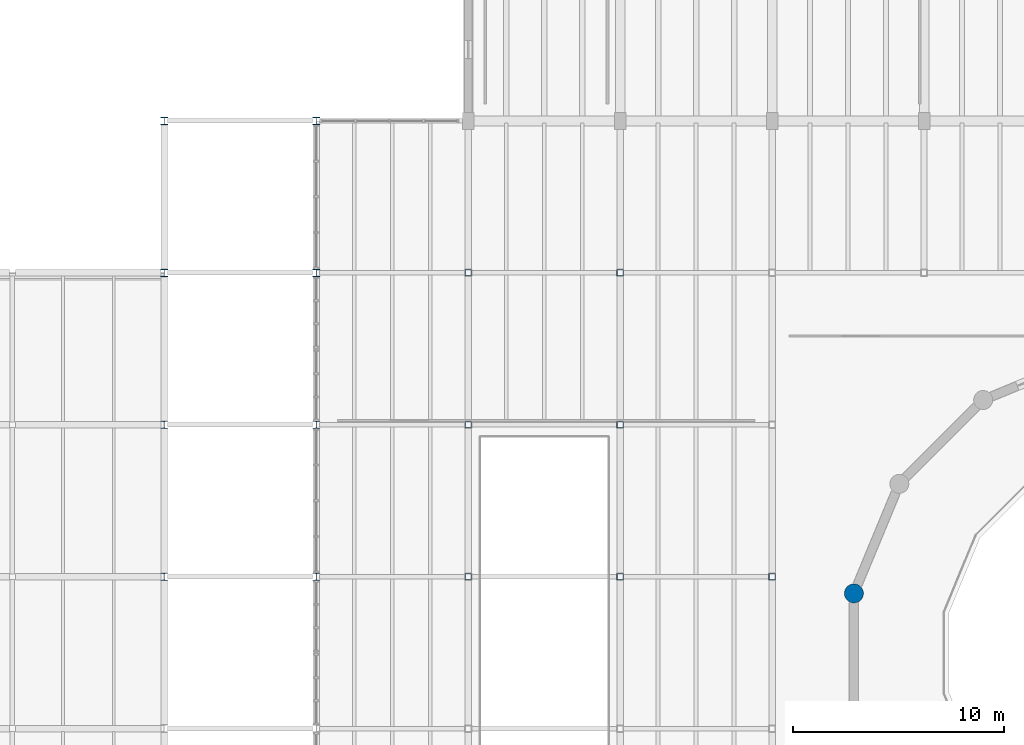
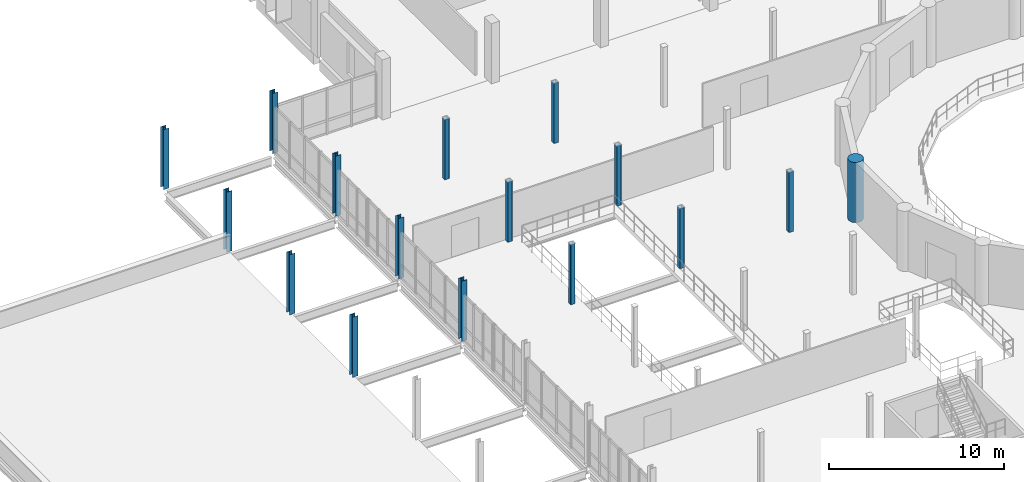
# One storey, part 9 of 72: 16 columns.
"""IFC4 building model written with IfcOpenShell, lengths in metres."""

from ifc_helpers import new_model, si_unit, direction, frame, origin, origin_2d, place, context, subcontext, project, spatial, hollow_rectangle, circle, i_section, extrude, material, material_profile, profile_set, type_object, element, save


model = new_model("IFC4")

# Units and contexts
model_context = context("Model", 3, precision=1e-05, world=origin(), true_north=direction((0.0, 1.0)))
body_context = subcontext(model_context, "Body", "Model", "MODEL_VIEW")
ifc_project = project(units=[si_unit("LENGTHUNIT", "METRE"), si_unit("AREAUNIT", "SQUARE_METRE"), si_unit("VOLUMEUNIT", "CUBIC_METRE"), si_unit("PLANEANGLEUNIT", "RADIAN"), si_unit("MASSUNIT", "GRAM", prefix="KILO")], contexts=[model_context])

# Site, building, storey
site_placement = place(None, origin())
site = spatial("IfcSite", under=ifc_project, at=site_placement, CompositionType="ELEMENT")
building_placement = place(site_placement, origin())
building = spatial("IfcBuilding", under=site, at=building_placement, Name="Qiaolan Assembly House", CompositionType="ELEMENT")
storey_placement = place(building_placement, frame((0.0, 0.0, 10.199951171875)))
storey = spatial("IfcBuildingStorey", under=building, at=storey_placement, Name="L02", CompositionType="ELEMENT", Elevation=10.199951171875)

# Columns
ifc_material_1 = material(Name="Concrete C50/60", Category="concrete")
ifc_material_profile_1 = material_profile(ifc_material_1, circle(Radius=0.449951171875, at=origin_2d()), Name="CIRC D900")
ifc_profile_set_1 = profile_set([ifc_material_profile_1], Name="Concrete C50/60")
column_type_1 = type_object("IfcColumnType", Name="COL-DRUM-D900", PredefinedType="COLUMN", material=ifc_profile_set_1)
column_placement = place(storey_placement, frame((54.276611328125, 64.00927734375, 0.0), z_axis=(0.0, 0.0, 1.0), x_axis=(1.0, 0.0, 0.0)))
element("IfcColumn", 1, at=column_placement, inside=storey, type_object=column_type_1, Name="DC-03 chamber drum pier 8 L02", PredefinedType="COLUMN", context=body_context, shape_type="SweptSolid", body=[
    extrude(circle(Radius=0.449951171875, at=origin_2d()), origin(), (0.0, 0.0, 1.0), 4.199951171875),
])
ifc_material_2 = material(Name="Steel Q355B", Category="steel")
ifc_material_profile_2 = material_profile(ifc_material_2, i_section(OverallWidth=0.35009765625, OverallDepth=0.35009765625, WebThickness=0.011962890625, FlangeThickness=0.01904296875, FilletRadius=0.02001953125, at=origin_2d()), Name="HW 350x350x12x19")
ifc_profile_set_2 = profile_set([ifc_material_profile_2], Name="Steel Q355B")
column_type_2 = type_object("IfcColumnType", Name="COL-STL-HW350", PredefinedType="COLUMN", material=ifc_profile_set_2)
for number, where, z_axis, x_axis, name in (
    (2, (21.60009765625, 64.800048828125, 0.0), (0.0, 0.0, 1.0), (1.0, 0.0, 0.0), "SC-02 hall column L02"),
    (3, (21.60009765625, 72.0, 0.0), (0.0, 0.0, 1.0), (1.0, 0.0, 0.0), "SC-02 hall column L02"),
    (4, (21.60009765625, 79.199951171875, 0.0), (0.0, 0.0, 1.0), (1.0, 0.0, 0.0), "SC-02 hall column L02"),
    (5, (21.60009765625, 86.39990234375, 0.0), (0.0, 0.0, 1.0), (1.0, 0.0, 0.0), "SC-02 hall column L02"),
    (6, (28.800048828125, 64.800048828125, 0.0), (0.0, 0.0, 1.0), (1.0, 0.0, 0.0), "SC-02 hall column L02"),
    (7, (28.800048828125, 72.0, 0.0), (0.0, 0.0, 1.0), (1.0, 0.0, 0.0), "SC-02 hall column L02"),
    (8, (28.800048828125, 79.199951171875, 0.0), (0.0, 0.0, 1.0), (1.0, 0.0, 0.0), "SC-02 hall column L02"),
    (9, (28.800048828125, 86.39990234375, 0.0), (0.0, 0.0, 1.0), (1.0, 0.0, 0.0), "SC-02 hall column L02"),
):
    element("IfcColumn", number, at=place(storey_placement, frame(where, z_axis=z_axis, x_axis=x_axis)), inside=storey, type_object=column_type_2, Name=name, PredefinedType="COLUMN", context=body_context, shape_type="SweptSolid", body=[
        extrude(i_section(OverallWidth=0.35009765625, OverallDepth=0.35009765625, WebThickness=0.011962890625, FlangeThickness=0.01904296875, FilletRadius=0.02001953125, at=origin_2d()), origin(), (0.0, 0.0, 1.0), 4.199951171875),
    ])
ifc_material_profile_3 = material_profile(ifc_material_2, hollow_rectangle(XDim=0.300048828125, YDim=0.300048828125, WallThickness=0.011962890625, InnerFilletRadius=0.011962890625, OuterFilletRadius=0.02392578125, at=origin_2d()), Name="SHS 300x300x12")
ifc_profile_set_3 = profile_set([ifc_material_profile_3], Name="Steel Q355B")
column_type_3 = type_object("IfcColumnType", Name="COL-STL-SHS300", PredefinedType="COLUMN", material=ifc_profile_set_3)
for number, where, z_axis, x_axis, name in (
    (10, (36.0, 64.800048828125, 0.0), (0.0, 0.0, 1.0), (1.0, 0.0, 0.0), "SC-05 hall column L02"),
    (11, (36.0, 72.0, 0.0), (0.0, 0.0, 1.0), (1.0, 0.0, 0.0), "SC-05 hall column L02"),
    (12, (36.0, 79.199951171875, 0.0), (0.0, 0.0, 1.0), (1.0, 0.0, 0.0), "SC-05 hall column L02"),
    (13, (43.199951171875, 64.800048828125, 0.0), (0.0, 0.0, 1.0), (1.0, 0.0, 0.0), "SC-05 hall column L02"),
    (14, (43.199951171875, 72.0, 0.0), (0.0, 0.0, 1.0), (1.0, 0.0, 0.0), "SC-05 hall column L02"),
    (15, (43.199951171875, 79.199951171875, 0.0), (0.0, 0.0, 1.0), (1.0, 0.0, 0.0), "SC-05 hall column L02"),
    (16, (50.39990234375, 64.800048828125, 0.0), (0.0, 0.0, 1.0), (1.0, 0.0, 0.0), "SC-05 hall column L02"),
):
    element("IfcColumn", number, at=place(storey_placement, frame(where, z_axis=z_axis, x_axis=x_axis)), inside=storey, type_object=column_type_3, Name=name, PredefinedType="COLUMN", context=body_context, shape_type="SweptSolid", body=[
        extrude(hollow_rectangle(XDim=0.300048828125, YDim=0.300048828125, WallThickness=0.011962890625, InnerFilletRadius=0.011962890625, OuterFilletRadius=0.02392578125, at=origin_2d()), origin(), (0.0, 0.0, 1.0), 4.199951171875),
    ])

save(model, "model.ifc")
